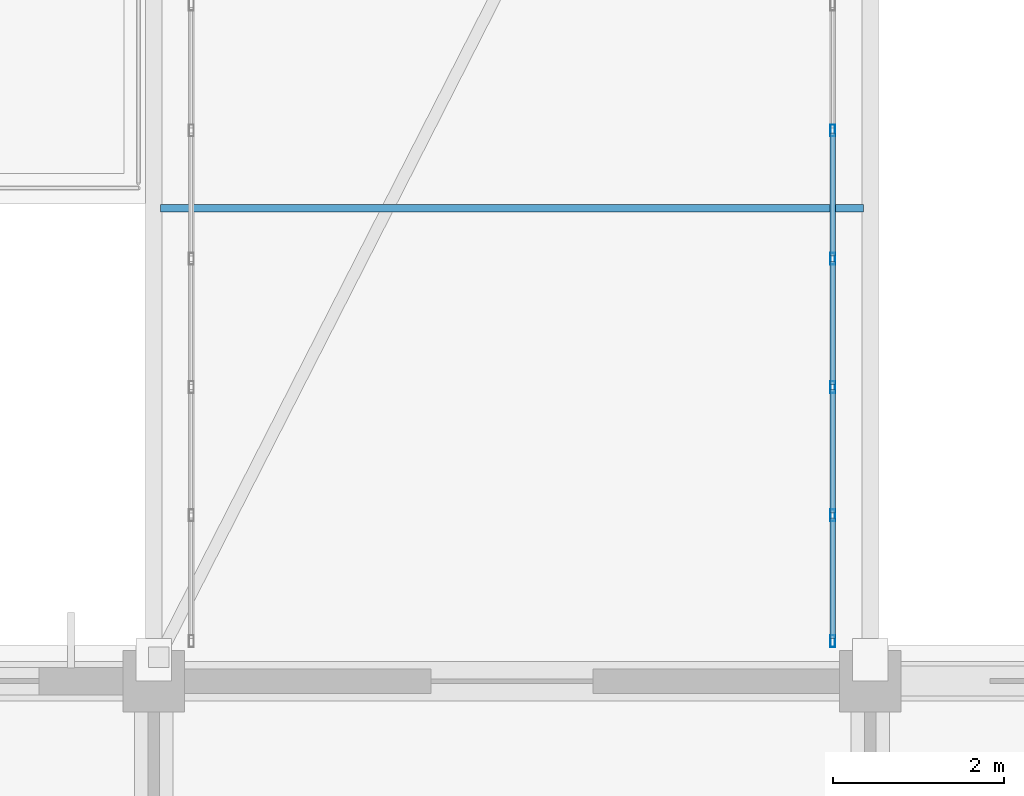
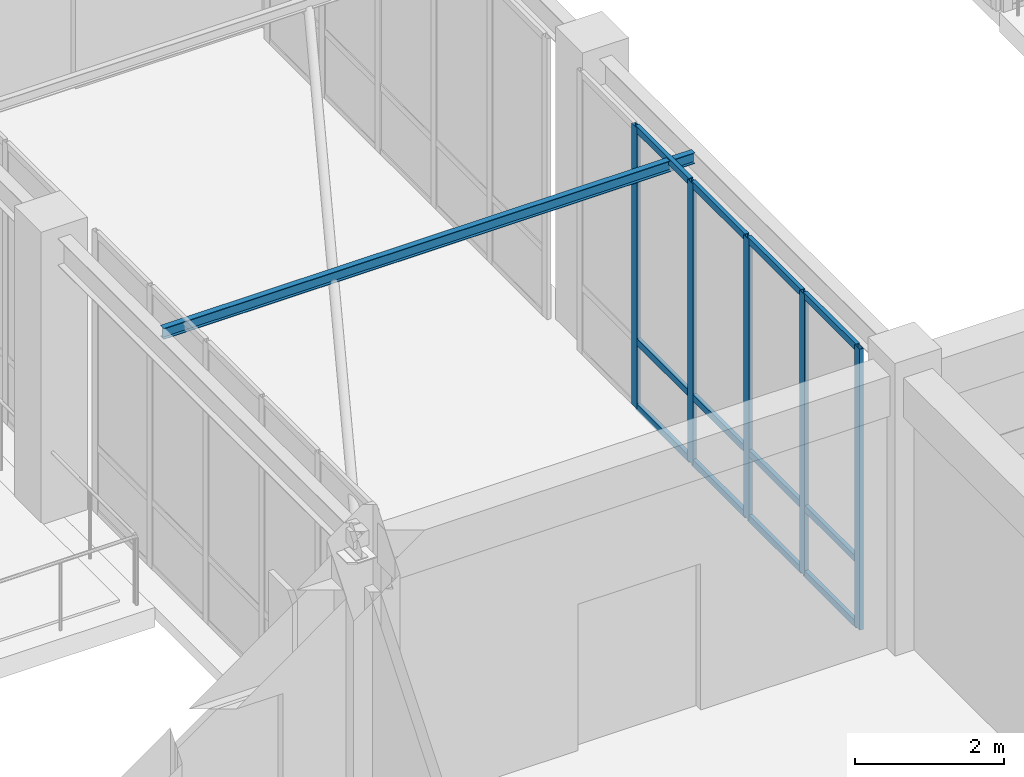
# One storey, part 34 of 158: 17 members, 1 beam, 1 element without a shape of its own.
"""IFC4 building model written with IfcOpenShell, lengths in metres."""

from ifc_helpers import new_model, si_unit, direction, frame, origin, origin_2d, place, context, subcontext, project, spatial, hollow_rectangle, i_section, extrude, material, layer, layer_set, material_profile, profile_set, type_object, element, aggregate, save


model = new_model("IFC4")

# Units and contexts
model_context = context("Model", 3, precision=1e-05, world=origin(), true_north=direction((0.0, 1.0)))
body_context = subcontext(model_context, "Body", "Model", "MODEL_VIEW")
ifc_project = project(units=[si_unit("LENGTHUNIT", "METRE"), si_unit("AREAUNIT", "SQUARE_METRE"), si_unit("VOLUMEUNIT", "CUBIC_METRE"), si_unit("PLANEANGLEUNIT", "RADIAN"), si_unit("MASSUNIT", "GRAM", prefix="KILO")], contexts=[model_context])

# Site, building, storey
site_placement = place(None, origin())
site = spatial("IfcSite", under=ifc_project, at=site_placement, CompositionType="ELEMENT")
building_placement = place(site_placement, origin())
building = spatial("IfcBuilding", under=site, at=building_placement, Name="Trelvath General Hospital", CompositionType="ELEMENT")
storey_placement = place(building_placement, frame((0.0, 0.0, 8.10009765625)))
storey = spatial("IfcBuildingStorey", under=building, at=storey_placement, Name="L02", CompositionType="ELEMENT", Elevation=8.10009765625)

# Beam
ifc_material_1 = material(Name="Steel S355", Category="steel")
ifc_material_profile_1 = material_profile(ifc_material_1, i_section(OverallWidth=0.091064453125, OverallDepth=0.179931640625, WebThickness=0.00537109375, FlangeThickness=0.008056640625, at=origin_2d()), Name="IPE180")
ifc_profile_set_1 = profile_set([ifc_material_profile_1], Name="Steel S355")
beam_type = type_object("IfcBeamType", Name="BridgeJoist IPE180", PredefinedType="JOIST", material=ifc_profile_set_1)
beam_placement = place(storey_placement, frame((75.679931640625, 30.743896484375, 4.52001953125), z_axis=(1.0, 0.0, 0.0), x_axis=(0.0, 1.0, 0.0)))
element("IfcBeam", 1, at=beam_placement, inside=storey, type_object=beam_type, Name="Bridge Cross Joist BRG-S-C L03", PredefinedType="JOIST", context=body_context, shape_type="SweptSolid", body=[
    extrude(i_section(OverallWidth=0.091064453125, OverallDepth=0.179931640625, WebThickness=0.00537109375, FlangeThickness=0.008056640625, at=origin_2d()), origin(), (0.0, 0.0, 1.0), 8.239990234375),
])

# Curtain wall, members
ifc_material_2 = material(Name="Anodised aluminium and low-E glass", Category="aluminium")
ifc_layer = layer(ifc_material_2, 0.139892578125)
ifc_layer_set = layer_set([ifc_layer], Name="Anodised aluminium and low-E glass")
curtain_wall_type = type_object("IfcCurtainWallType", Name="CW Bridge 752 461", PredefinedType="USERDEFINED", material=ifc_layer_set)
curtain_wall_placement = place(storey_placement, origin())
curtain_wall = element("IfcCurtainWall", 2, at=curtain_wall_placement, inside=storey, type_object=curtain_wall_type, Name="Glazed Bridge Curtain Wall BRG-S-C E L02", ObjectType="Unitised Glazed Curtain Wall", PredefinedType="USERDEFINED")
ifc_material_3 = material(Name="Anodised aluminium", Category="aluminium")
ifc_material_profile_2 = material_profile(ifc_material_3, hollow_rectangle(XDim=0.06005859375, YDim=0.139892578125, WallThickness=0.00390625, at=origin_2d()), Name="RHS60x140x4")
ifc_profile_set_2 = profile_set([ifc_material_profile_2], Name="Anodised aluminium")
member_type_1 = type_object("IfcMemberType", Name="CurtainMullion 60x140", PredefinedType="MULLION", material=ifc_profile_set_2)
member_1_placement = place(storey_placement, frame((83.56005859375, 31.656005859375, 0.0), z_axis=(0.0, 0.0, 1.0), x_axis=(1.0, 0.0, 0.0)))
member_1 = element("IfcMember", 3, at=member_1_placement, type_object=member_type_1, Name="CW-227 mullion 2", PredefinedType="MULLION", context=body_context, shape_type="SweptSolid", body=[
    extrude(hollow_rectangle(XDim=0.06005859375, YDim=0.139892578125, WallThickness=0.00390625, at=origin_2d()), origin(), (0.0, 0.0, 1.0), 4.60986328125),
])
member_2_placement = place(storey_placement, frame((83.56005859375, 30.152099609375, 0.0), z_axis=(0.0, 0.0, 1.0), x_axis=(1.0, 0.0, 0.0)))
member_2 = element("IfcMember", 4, at=member_2_placement, type_object=member_type_1, Name="CW-227 mullion 3", PredefinedType="MULLION", context=body_context, shape_type="SweptSolid", body=[
    extrude(hollow_rectangle(XDim=0.06005859375, YDim=0.139892578125, WallThickness=0.00390625, at=origin_2d()), origin(), (0.0, 0.0, 1.0), 4.60986328125),
])
member_3_placement = place(storey_placement, frame((83.56005859375, 28.64794921875, 0.0), z_axis=(0.0, 0.0, 1.0), x_axis=(1.0, 0.0, 0.0)))
member_3 = element("IfcMember", 5, at=member_3_placement, type_object=member_type_1, Name="CW-227 mullion 4", PredefinedType="MULLION", context=body_context, shape_type="SweptSolid", body=[
    extrude(hollow_rectangle(XDim=0.06005859375, YDim=0.139892578125, WallThickness=0.00390625, at=origin_2d()), origin(), (0.0, 0.0, 1.0), 4.60986328125),
])
member_4_placement = place(storey_placement, frame((83.56005859375, 27.14404296875, 0.0), z_axis=(0.0, 0.0, 1.0), x_axis=(1.0, 0.0, 0.0)))
member_4 = element("IfcMember", 6, at=member_4_placement, type_object=member_type_1, Name="CW-227 mullion 5", PredefinedType="MULLION", context=body_context, shape_type="SweptSolid", body=[
    extrude(hollow_rectangle(XDim=0.06005859375, YDim=0.139892578125, WallThickness=0.00390625, at=origin_2d()), origin(), (0.0, 0.0, 1.0), 4.60986328125),
])
member_5_placement = place(storey_placement, frame((83.56005859375, 25.669921875, 0.0), z_axis=(0.0, 0.0, 1.0), x_axis=(1.0, 0.0, 0.0)))
member_5 = element("IfcMember", 7, at=member_5_placement, type_object=member_type_1, Name="CW-227 mullion 6", PredefinedType="MULLION", context=body_context, shape_type="SweptSolid", body=[
    extrude(hollow_rectangle(XDim=0.06005859375, YDim=0.139892578125, WallThickness=0.00390625, at=origin_2d()), origin(), (0.0, 0.0, 1.0), 4.60986328125),
])
ifc_material_4 = material(Name="Anodised aluminium", Category="aluminium")
ifc_material_profile_3 = material_profile(ifc_material_4, hollow_rectangle(XDim=0.06005859375, YDim=0.110107421875, WallThickness=0.00390625, at=origin_2d()), Name="RHS60x110x4")
ifc_profile_set_3 = profile_set([ifc_material_profile_3], Name="Anodised aluminium")
member_type_2 = type_object("IfcMemberType", Name="CurtainTransom 60x110", PredefinedType="USERDEFINED", material=ifc_profile_set_3)
member_6_placement = place(storey_placement, frame((83.56005859375, 31.6259765625, 0.02978515625), z_axis=(0.0, -1.0, 0.0), x_axis=(1.0, 0.0, 0.0)))
member_6 = element("IfcMember", 8, at=member_6_placement, type_object=member_type_2, Name="CW-227 transom 2.1", ObjectType="TRANSOM", PredefinedType="USERDEFINED", context=body_context, shape_type="SweptSolid", body=[
    extrude(hollow_rectangle(XDim=0.06005859375, YDim=0.110107421875, WallThickness=0.00390625, at=origin_2d()), origin(), (0.0, 0.0, 1.0), 1.444091796875),
])
member_7_placement = place(storey_placement, frame((83.56005859375, 31.6259765625, 1.099853515625), z_axis=(0.0, -1.0, 0.0), x_axis=(1.0, 0.0, 0.0)))
member_7 = element("IfcMember", 9, at=member_7_placement, type_object=member_type_2, Name="CW-227 transom 2.2", ObjectType="TRANSOM", PredefinedType="USERDEFINED", context=body_context, shape_type="SweptSolid", body=[
    extrude(hollow_rectangle(XDim=0.06005859375, YDim=0.110107421875, WallThickness=0.00390625, at=origin_2d()), origin(), (0.0, 0.0, 1.0), 1.444091796875),
])
member_8_placement = place(storey_placement, frame((83.56005859375, 31.6259765625, 4.579833984375), z_axis=(0.0, -1.0, 0.0), x_axis=(1.0, 0.0, 0.0)))
member_8 = element("IfcMember", 10, at=member_8_placement, type_object=member_type_2, Name="CW-227 transom 2.3", ObjectType="TRANSOM", PredefinedType="USERDEFINED", context=body_context, shape_type="SweptSolid", body=[
    extrude(hollow_rectangle(XDim=0.06005859375, YDim=0.110107421875, WallThickness=0.00390625, at=origin_2d()), origin(), (0.0, 0.0, 1.0), 1.444091796875),
])
member_9_placement = place(storey_placement, frame((83.56005859375, 30.1220703125, 0.02978515625), z_axis=(0.0, -1.0, 0.0), x_axis=(1.0, 0.0, 0.0)))
member_9 = element("IfcMember", 11, at=member_9_placement, type_object=member_type_2, Name="CW-227 transom 3.1", ObjectType="TRANSOM", PredefinedType="USERDEFINED", context=body_context, shape_type="SweptSolid", body=[
    extrude(hollow_rectangle(XDim=0.06005859375, YDim=0.110107421875, WallThickness=0.00390625, at=origin_2d()), origin(), (0.0, 0.0, 1.0), 1.444091796875),
])
member_10_placement = place(storey_placement, frame((83.56005859375, 30.1220703125, 1.099853515625), z_axis=(0.0, -1.0, 0.0), x_axis=(1.0, 0.0, 0.0)))
member_10 = element("IfcMember", 12, at=member_10_placement, type_object=member_type_2, Name="CW-227 transom 3.2", ObjectType="TRANSOM", PredefinedType="USERDEFINED", context=body_context, shape_type="SweptSolid", body=[
    extrude(hollow_rectangle(XDim=0.06005859375, YDim=0.110107421875, WallThickness=0.00390625, at=origin_2d()), origin(), (0.0, 0.0, 1.0), 1.444091796875),
])
member_11_placement = place(storey_placement, frame((83.56005859375, 30.1220703125, 4.579833984375), z_axis=(0.0, -1.0, 0.0), x_axis=(1.0, 0.0, 0.0)))
member_11 = element("IfcMember", 13, at=member_11_placement, type_object=member_type_2, Name="CW-227 transom 3.3", ObjectType="TRANSOM", PredefinedType="USERDEFINED", context=body_context, shape_type="SweptSolid", body=[
    extrude(hollow_rectangle(XDim=0.06005859375, YDim=0.110107421875, WallThickness=0.00390625, at=origin_2d()), origin(), (0.0, 0.0, 1.0), 1.444091796875),
])
member_12_placement = place(storey_placement, frame((83.56005859375, 28.617919921875, 0.02978515625), z_axis=(0.0, -1.0, 0.0), x_axis=(1.0, 0.0, 0.0)))
member_12 = element("IfcMember", 14, at=member_12_placement, type_object=member_type_2, Name="CW-227 transom 4.1", ObjectType="TRANSOM", PredefinedType="USERDEFINED", context=body_context, shape_type="SweptSolid", body=[
    extrude(hollow_rectangle(XDim=0.06005859375, YDim=0.110107421875, WallThickness=0.00390625, at=origin_2d()), origin(), (0.0, 0.0, 1.0), 1.44384765625),
])
member_13_placement = place(storey_placement, frame((83.56005859375, 28.617919921875, 1.099853515625), z_axis=(0.0, -1.0, 0.0), x_axis=(1.0, 0.0, 0.0)))
member_13 = element("IfcMember", 15, at=member_13_placement, type_object=member_type_2, Name="CW-227 transom 4.2", ObjectType="TRANSOM", PredefinedType="USERDEFINED", context=body_context, shape_type="SweptSolid", body=[
    extrude(hollow_rectangle(XDim=0.06005859375, YDim=0.110107421875, WallThickness=0.00390625, at=origin_2d()), origin(), (0.0, 0.0, 1.0), 1.44384765625),
])
member_14_placement = place(storey_placement, frame((83.56005859375, 28.617919921875, 4.579833984375), z_axis=(0.0, -1.0, 0.0), x_axis=(1.0, 0.0, 0.0)))
member_14 = element("IfcMember", 16, at=member_14_placement, type_object=member_type_2, Name="CW-227 transom 4.3", ObjectType="TRANSOM", PredefinedType="USERDEFINED", context=body_context, shape_type="SweptSolid", body=[
    extrude(hollow_rectangle(XDim=0.06005859375, YDim=0.110107421875, WallThickness=0.00390625, at=origin_2d()), origin(), (0.0, 0.0, 1.0), 1.44384765625),
])
member_15_placement = place(storey_placement, frame((83.56005859375, 27.114013671875, 0.02978515625), z_axis=(0.0, -1.0, 0.0), x_axis=(1.0, 0.0, 0.0)))
member_15 = element("IfcMember", 17, at=member_15_placement, type_object=member_type_2, Name="CW-227 transom 5.1", ObjectType="TRANSOM", PredefinedType="USERDEFINED", context=body_context, shape_type="SweptSolid", body=[
    extrude(hollow_rectangle(XDim=0.06005859375, YDim=0.110107421875, WallThickness=0.00390625, at=origin_2d()), origin(), (0.0, 0.0, 1.0), 1.4140625),
])
member_16_placement = place(storey_placement, frame((83.56005859375, 27.114013671875, 1.099853515625), z_axis=(0.0, -1.0, 0.0), x_axis=(1.0, 0.0, 0.0)))
member_16 = element("IfcMember", 18, at=member_16_placement, type_object=member_type_2, Name="CW-227 transom 5.2", ObjectType="TRANSOM", PredefinedType="USERDEFINED", context=body_context, shape_type="SweptSolid", body=[
    extrude(hollow_rectangle(XDim=0.06005859375, YDim=0.110107421875, WallThickness=0.00390625, at=origin_2d()), origin(), (0.0, 0.0, 1.0), 1.4140625),
])
member_17_placement = place(storey_placement, frame((83.56005859375, 27.114013671875, 4.579833984375), z_axis=(0.0, -1.0, 0.0), x_axis=(1.0, 0.0, 0.0)))
member_17 = element("IfcMember", 19, at=member_17_placement, type_object=member_type_2, Name="CW-227 transom 5.3", ObjectType="TRANSOM", PredefinedType="USERDEFINED", context=body_context, shape_type="SweptSolid", body=[
    extrude(hollow_rectangle(XDim=0.06005859375, YDim=0.110107421875, WallThickness=0.00390625, at=origin_2d()), origin(), (0.0, 0.0, 1.0), 1.4140625),
])
aggregate(curtain_wall, [member_1, member_2, member_3, member_4, member_5, member_6, member_7, member_8, member_9, member_10, member_11, member_12, member_13, member_14, member_15, member_16, member_17])

save(model, "model.ifc")
